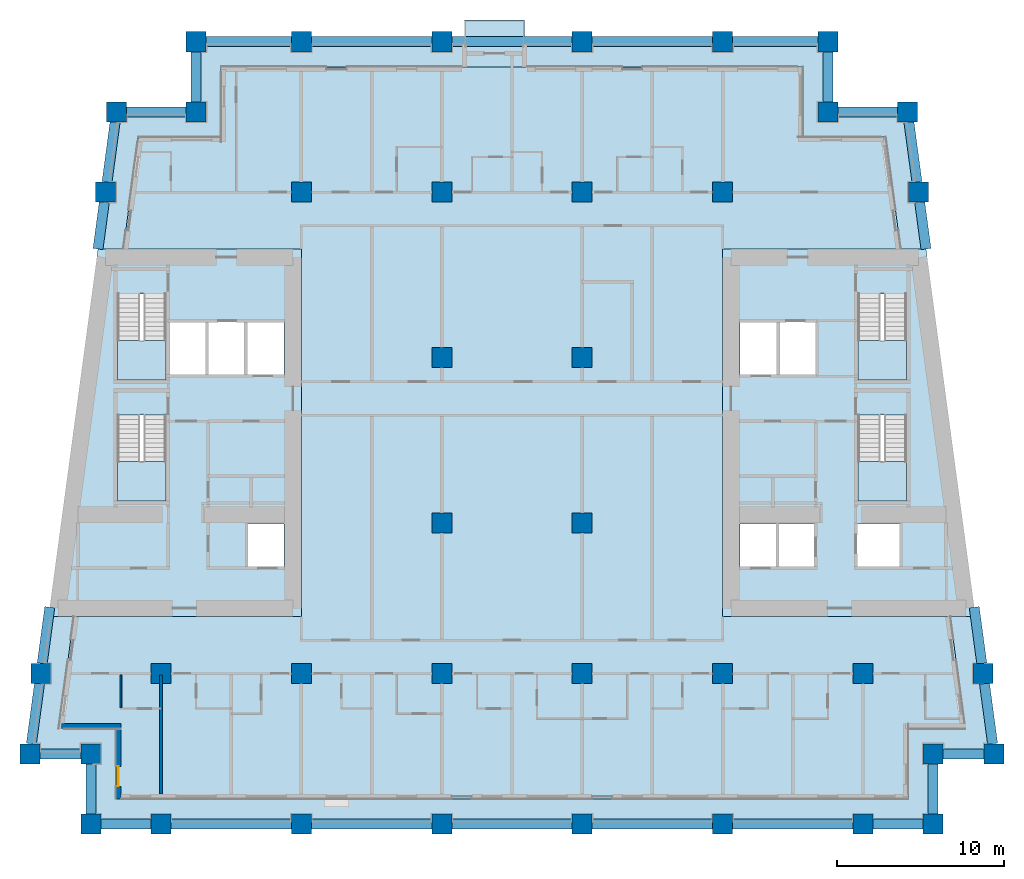
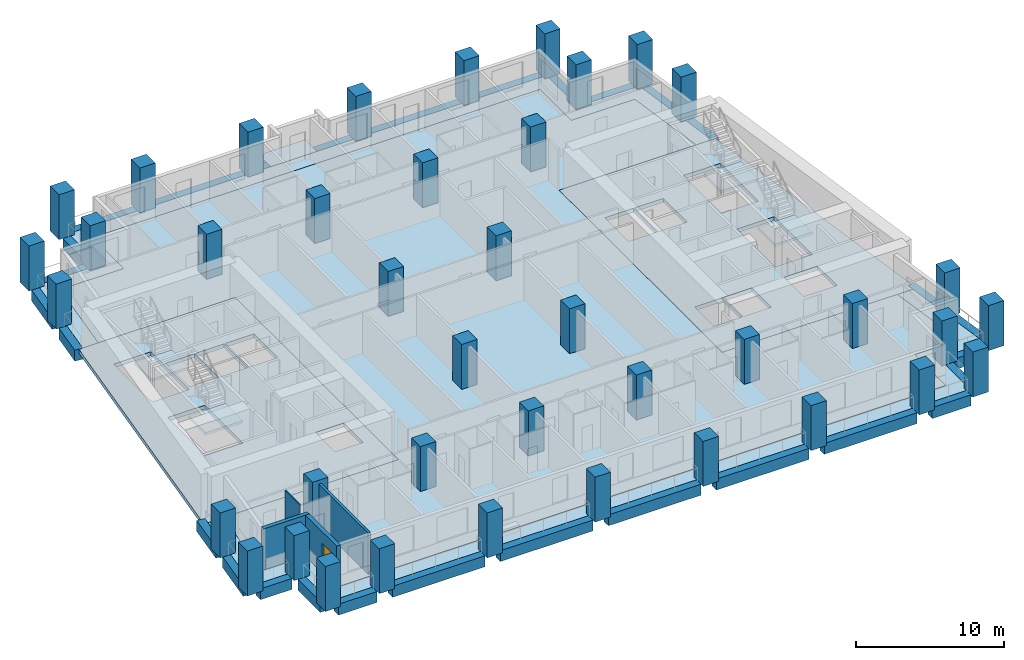
# One storey, part 1 of 14: 40 columns, 28 beams, 10 slabs, 4 walls, 1 door, 1 opening, 4 elements without a shape of their own.
"""IFC4 building model written with IfcOpenShell, lengths in metres."""

from ifc_helpers import new_model, si_unit, direction, frame, frame_2d, origin, origin_2d, place, context, subcontext, project, spatial, polyline, rectangle, outline, extrude, material, layer, layer_set, material_profile, profile_set, type_object, element, fill, aggregate, save


model = new_model("IFC4")

# Units and contexts
model_context = context("Model", 3, precision=1e-05, world=origin(), true_north=direction((0.0, 1.0)))
body_context = subcontext(model_context, "Body", "Model", "MODEL_VIEW")
ifc_project = project(units=[si_unit("LENGTHUNIT", "METRE"), si_unit("AREAUNIT", "SQUARE_METRE"), si_unit("VOLUMEUNIT", "CUBIC_METRE"), si_unit("PLANEANGLEUNIT", "RADIAN"), si_unit("MASSUNIT", "GRAM", prefix="KILO")], contexts=[model_context])

# Site, building, storey
site_placement = place(None, origin())
site = spatial("IfcSite", under=ifc_project, at=site_placement, CompositionType="ELEMENT")
building_placement = place(site_placement, origin())
building = spatial("IfcBuilding", under=site, at=building_placement, Name="Candeia Pilgrim Tower and Theatre", CompositionType="ELEMENT")
storey_placement = place(building_placement, frame((0.0, 0.0, 120.60009765625)))
storey = spatial("IfcBuildingStorey", under=building, at=storey_placement, Name="L28", CompositionType="ELEMENT", Elevation=120.60009765625)

# Columns
ifc_material_1 = material(Name="Concrete C70/85", Category="concrete")
ifc_material_profile_1 = material_profile(ifc_material_1, rectangle(XDim=1.199951171875, YDim=1.199951171875, at=origin_2d()))
ifc_profile_set_1 = profile_set([ifc_material_profile_1], Name="Concrete C70/85")
column_type = type_object("IfcColumnType", Name="RC 1200x1200 C70/85", PredefinedType="COLUMN", material=ifc_profile_set_1)
for number, where, z_axis, x_axis, name in (
    (1, (92.39990234375, 98.0, 0.0), (0.0, 0.0, 1.0), (1.0, 0.0, 0.0), "Column A1"),
    (2, (100.800048828125, 98.0, 0.0), (0.0, 0.0, 1.0), (1.0, 0.0, 0.0), "Column A2"),
    (3, (109.199951171875, 98.0, 0.0), (0.0, 0.0, 1.0), (1.0, 0.0, 0.0), "Column A3"),
    (4, (117.60009765625, 98.0, 0.0), (0.0, 0.0, 1.0), (1.0, 0.0, 0.0), "Column A4"),
    (5, (126.0, 98.0, 0.0), (0.0, 0.0, 1.0), (1.0, 0.0, 0.0), "Column A5"),
    (6, (134.39990234375, 98.0, 0.0), (0.0, 0.0, 1.0), (1.0, 0.0, 0.0), "Column A6"),
    (7, (88.199951171875, 98.0, 0.0), (0.0, 0.0, 1.0), (1.0, 0.0, 0.0), "Column AW"),
    (8, (138.60009765625, 98.0, 0.0), (0.0, 0.0, 1.0), (1.0, 0.0, 0.0), "Column AE"),
    (9, (88.199951171875, 102.199951171875, 0.0), (0.0, 0.0, 1.0), (1.0, 0.0, 0.0), "Column NSW"),
    (10, (138.60009765625, 102.199951171875, 0.0), (0.0, 0.0, 1.0), (1.0, 0.0, 0.0), "Column NSE"),
    (11, (94.5, 140.60009765625, 0.0), (0.0, 0.0, 1.0), (1.0, 0.0, 0.0), "Column NNW"),
    (12, (132.300048828125, 140.60009765625, 0.0), (0.0, 0.0, 1.0), (1.0, 0.0, 0.0), "Column NNE"),
    (13, (84.5654296875, 102.199951171875, 0.0), (0.0, 0.0, 1.0), (1.0, 0.0, 0.0), "Column LSW"),
    (14, (142.234619140625, 102.199951171875, 0.0), (0.0, 0.0, 1.0), (1.0, 0.0, 0.0), "Column LSE"),
    (15, (89.734619140625, 140.60009765625, 0.0), (0.0, 0.0, 1.0), (1.0, 0.0, 0.0), "Column LNW"),
    (16, (137.0654296875, 140.60009765625, 0.0), (0.0, 0.0, 1.0), (1.0, 0.0, 0.0), "Column LNE"),
    (17, (92.39990234375, 107.0, 0.0), (0.0, 0.0, 1.0), (1.0, 0.0, 0.0), "Column B1"),
    (18, (100.800048828125, 107.0, 0.0), (0.0, 0.0, 1.0), (1.0, 0.0, 0.0), "Column B2"),
    (19, (109.199951171875, 107.0, 0.0), (0.0, 0.0, 1.0), (1.0, 0.0, 0.0), "Column B3"),
    (20, (117.60009765625, 107.0, 0.0), (0.0, 0.0, 1.0), (1.0, 0.0, 0.0), "Column B4"),
    (21, (126.0, 107.0, 0.0), (0.0, 0.0, 1.0), (1.0, 0.0, 0.0), "Column B5"),
    (22, (134.39990234375, 107.0, 0.0), (0.0, 0.0, 1.0), (1.0, 0.0, 0.0), "Column B6"),
    (23, (85.21142578125, 107.0, 0.0), (0.0, 0.0, 1.0), (1.0, 0.0, 0.0), "Column BW"),
    (24, (141.58837890625, 107.0, 0.0), (0.0, 0.0, 1.0), (1.0, 0.0, 0.0), "Column BE"),
    (25, (109.199951171875, 116.0, 0.0), (0.0, 0.0, 1.0), (1.0, 0.0, 0.0), "Column C3"),
    (26, (117.60009765625, 116.0, 0.0), (0.0, 0.0, 1.0), (1.0, 0.0, 0.0), "Column C4"),
    (27, (109.199951171875, 125.89990234375, 0.0), (0.0, 0.0, 1.0), (1.0, 0.0, 0.0), "Column D3"),
    (28, (117.60009765625, 125.89990234375, 0.0), (0.0, 0.0, 1.0), (1.0, 0.0, 0.0), "Column D4"),
    (29, (100.800048828125, 135.800048828125, 0.0), (0.0, 0.0, 1.0), (1.0, 0.0, 0.0), "Column E2"),
    (30, (109.199951171875, 135.800048828125, 0.0), (0.0, 0.0, 1.0), (1.0, 0.0, 0.0), "Column E3"),
    (31, (117.60009765625, 135.800048828125, 0.0), (0.0, 0.0, 1.0), (1.0, 0.0, 0.0), "Column E4"),
    (32, (126.0, 135.800048828125, 0.0), (0.0, 0.0, 1.0), (1.0, 0.0, 0.0), "Column E5"),
    (33, (89.08837890625, 135.800048828125, 0.0), (0.0, 0.0, 1.0), (1.0, 0.0, 0.0), "Column EW"),
    (34, (137.71142578125, 135.800048828125, 0.0), (0.0, 0.0, 1.0), (1.0, 0.0, 0.0), "Column EE"),
    (35, (100.800048828125, 144.800048828125, 0.0), (0.0, 0.0, 1.0), (1.0, 0.0, 0.0), "Column F2"),
    (36, (109.199951171875, 144.800048828125, 0.0), (0.0, 0.0, 1.0), (1.0, 0.0, 0.0), "Column F3"),
    (37, (117.60009765625, 144.800048828125, 0.0), (0.0, 0.0, 1.0), (1.0, 0.0, 0.0), "Column F4"),
    (38, (126.0, 144.800048828125, 0.0), (0.0, 0.0, 1.0), (1.0, 0.0, 0.0), "Column F5"),
    (39, (94.5, 144.800048828125, 0.0), (0.0, 0.0, 1.0), (1.0, 0.0, 0.0), "Column FW"),
    (40, (132.300048828125, 144.800048828125, 0.0), (0.0, 0.0, 1.0), (1.0, 0.0, 0.0), "Column FE"),
):
    element("IfcColumn", number, at=place(storey_placement, frame(where, z_axis=z_axis, x_axis=x_axis)), inside=storey, type_object=column_type, Name=name, PredefinedType="COLUMN", context=body_context, shape_type="SweptSolid", body=[
        extrude(rectangle(XDim=1.199951171875, YDim=1.199951171875, at=origin_2d()), origin(), (0.0, 0.0, 1.0), 3.699951171875),
    ])

# Beams
ifc_material_profile_2 = material_profile(ifc_material_1, rectangle(XDim=0.60009765625, YDim=0.89990234375, at=origin_2d()))
ifc_profile_set_2 = profile_set([ifc_material_profile_2], Name="Concrete C70/85")
beam_type = type_object("IfcBeamType", Name="RC 600x900 C70/85", PredefinedType="BEAM", material=ifc_profile_set_2)
beam_1_placement = place(storey_placement, frame((88.800048828125, 98.0, -0.4501953125), z_axis=(1.0, 0.0, 0.0), x_axis=(0.0, 1.0, 0.0)))
element("IfcBeam", 41, at=beam_1_placement, inside=storey, type_object=beam_type, Name="Spandrel beam L28-01", PredefinedType="BEAM", context=body_context, shape_type="SweptSolid", body=[
    extrude(rectangle(XDim=0.60009765625, YDim=0.89990234375, at=origin_2d()), origin(), (0.0, 0.0, 1.0), 3.0),
])
beam_2_placement = place(storey_placement, frame((93.0, 98.0, -0.4501953125), z_axis=(1.0, 0.0, 0.0), x_axis=(0.0, 1.0, 0.0)))
element("IfcBeam", 42, at=beam_2_placement, inside=storey, type_object=beam_type, Name="Spandrel beam L28-02", PredefinedType="BEAM", context=body_context, shape_type="SweptSolid", body=[
    extrude(rectangle(XDim=0.60009765625, YDim=0.89990234375, at=origin_2d()), origin(), (0.0, 0.0, 1.0), 7.199951171875),
])
beam_3_placement = place(storey_placement, frame((101.39990234375, 98.0, -0.4501953125), z_axis=(1.0, 0.0, 0.0), x_axis=(0.0, 1.0, 0.0)))
element("IfcBeam", 43, at=beam_3_placement, inside=storey, type_object=beam_type, Name="Spandrel beam L28-03", PredefinedType="BEAM", context=body_context, shape_type="SweptSolid", body=[
    extrude(rectangle(XDim=0.60009765625, YDim=0.89990234375, at=origin_2d()), origin(), (0.0, 0.0, 1.0), 7.2001953125),
])
for number, where, z_axis, x_axis, name in (
    (44, (109.800048828125, 98.0, -0.4501953125), (1.0, 0.0, 0.0), (0.0, 1.0, 0.0), "Spandrel beam L28-04"),
    (45, (118.199951171875, 98.0, -0.4501953125), (1.0, 0.0, 0.0), (0.0, 1.0, 0.0), "Spandrel beam L28-05"),
    (46, (126.60009765625, 98.0, -0.4501953125), (1.0, 0.0, 0.0), (0.0, 1.0, 0.0), "Spandrel beam L28-06"),
):
    element("IfcBeam", number, at=place(storey_placement, frame(where, z_axis=z_axis, x_axis=x_axis)), inside=storey, type_object=beam_type, Name=name, PredefinedType="BEAM", context=body_context, shape_type="SweptSolid", body=[
        extrude(rectangle(XDim=0.60009765625, YDim=0.89990234375, at=origin_2d()), origin(), (0.0, 0.0, 1.0), 7.199951171875),
    ])
for number, where, z_axis, x_axis, name in (
    (47, (135.0, 98.0, -0.4501953125), (1.0, 0.0, 0.0), (0.0, 1.0, 0.0), "Spandrel beam L28-07"),
    (48, (138.60009765625, 98.60009765625, -0.4501953125), (0.0, 1.0, 0.0), (-1.0, 0.0, 0.0), "Spandrel beam L28-08"),
):
    element("IfcBeam", number, at=place(storey_placement, frame(where, z_axis=z_axis, x_axis=x_axis)), inside=storey, type_object=beam_type, Name=name, PredefinedType="BEAM", context=body_context, shape_type="SweptSolid", body=[
        extrude(rectangle(XDim=0.60009765625, YDim=0.89990234375, at=origin_2d()), origin(), (0.0, 0.0, 1.0), 3.0),
    ])
beam_4_placement = place(storey_placement, frame((139.199951171875, 102.199951171875, -0.4501953125), z_axis=(1.0, 0.0, 0.0), x_axis=(0.0, 1.0, 0.0)))
element("IfcBeam", 49, at=beam_4_placement, inside=storey, type_object=beam_type, Name="Spandrel beam L28-09", PredefinedType="BEAM", context=body_context, shape_type="SweptSolid", body=[
    extrude(rectangle(XDim=0.60009765625, YDim=0.89990234375, at=origin_2d()), origin(), (0.0, 0.0, 1.0), 2.4345703125),
])
beam_5_placement = place(storey_placement, frame((142.15380859375, 102.800048828125, -0.4501953125), z_axis=(-0.133418359924, 0.991059807093, 0.0), x_axis=(-0.991059807093, -0.133418359924, 0.0)))
element("IfcBeam", 50, at=beam_5_placement, inside=storey, type_object=beam_type, Name="Spandrel beam L28-10", PredefinedType="BEAM", context=body_context, shape_type="SweptSolid", body=[
    extrude(rectangle(XDim=0.60009765625, YDim=0.89990234375, at=origin_2d()), origin(), (0.0, 0.0, 1.0), 3.63232421875),
])
beam_6_placement = place(storey_placement, frame((141.5078125, 107.60009765625, -0.4501953125), z_axis=(-0.133458165992, 0.99105444751, 0.0), x_axis=(-0.99105444751, -0.133458165992, 0.0)))
element("IfcBeam", 51, at=beam_6_placement, inside=storey, type_object=beam_type, Name="Spandrel beam L28-11", PredefinedType="BEAM", context=body_context, shape_type="SweptSolid", body=[
    extrude(rectangle(XDim=0.60009765625, YDim=0.89990234375, at=origin_2d()), origin(), (0.0, 0.0, 1.0), 3.39697265625),
])
beam_7_placement = place(storey_placement, frame((138.169189453125, 132.39990234375, -0.4501953125), z_axis=(-0.133420173099, 0.991059562998, 0.0), x_axis=(-0.991059562998, -0.133420173099, 0.0)))
element("IfcBeam", 52, at=beam_7_placement, inside=storey, type_object=beam_type, Name="Spandrel beam L28-12", PredefinedType="BEAM", context=body_context, shape_type="SweptSolid", body=[
    extrude(rectangle(XDim=0.60009765625, YDim=0.89990234375, at=origin_2d()), origin(), (0.0, 0.0, 1.0), 2.8251953125),
])
beam_8_placement = place(storey_placement, frame((137.630859375, 136.39990234375, -0.4501953125), z_axis=(-0.133409473196, 0.991061003401, 0.0), x_axis=(-0.991061003401, -0.133409473196, 0.0)))
element("IfcBeam", 53, at=beam_8_placement, inside=storey, type_object=beam_type, Name="Spandrel beam L28-13", PredefinedType="BEAM", context=body_context, shape_type="SweptSolid", body=[
    extrude(rectangle(XDim=0.60009765625, YDim=0.89990234375, at=origin_2d()), origin(), (0.0, 0.0, 1.0), 3.632568359375),
])
beam_9_placement = place(storey_placement, frame((136.46533203125, 140.60009765625, -0.4501953125), z_axis=(-1.0, 0.0, 0.0), x_axis=(0.0, -1.0, 0.0)))
element("IfcBeam", 54, at=beam_9_placement, inside=storey, type_object=beam_type, Name="Spandrel beam L28-14", PredefinedType="BEAM", context=body_context, shape_type="SweptSolid", body=[
    extrude(rectangle(XDim=0.60009765625, YDim=0.89990234375, at=origin_2d()), origin(), (0.0, 0.0, 1.0), 3.5654296875),
])
beam_10_placement = place(storey_placement, frame((132.300048828125, 141.199951171875, -0.4501953125), z_axis=(0.0, 1.0, 0.0), x_axis=(-1.0, 0.0, 0.0)))
element("IfcBeam", 55, at=beam_10_placement, inside=storey, type_object=beam_type, Name="Spandrel beam L28-15", PredefinedType="BEAM", context=body_context, shape_type="SweptSolid", body=[
    extrude(rectangle(XDim=0.60009765625, YDim=0.89990234375, at=origin_2d()), origin(), (0.0, 0.0, 1.0), 3.0),
])
beam_11_placement = place(storey_placement, frame((131.699951171875, 144.800048828125, -0.4501953125), z_axis=(-1.0, 0.0, 0.0), x_axis=(0.0, -1.0, 0.0)))
element("IfcBeam", 56, at=beam_11_placement, inside=storey, type_object=beam_type, Name="Spandrel beam L28-16", PredefinedType="BEAM", context=body_context, shape_type="SweptSolid", body=[
    extrude(rectangle(XDim=0.60009765625, YDim=0.89990234375, at=origin_2d()), origin(), (0.0, 0.0, 1.0), 5.099853515625),
])
for number, where, z_axis, x_axis, name in (
    (57, (125.39990234375, 144.800048828125, -0.4501953125), (-1.0, 0.0, 0.0), (0.0, -1.0, 0.0), "Spandrel beam L28-17"),
    (58, (117.0, 144.800048828125, -0.4501953125), (-1.0, 0.0, 0.0), (0.0, -1.0, 0.0), "Spandrel beam L28-18"),
):
    element("IfcBeam", number, at=place(storey_placement, frame(where, z_axis=z_axis, x_axis=x_axis)), inside=storey, type_object=beam_type, Name=name, PredefinedType="BEAM", context=body_context, shape_type="SweptSolid", body=[
        extrude(rectangle(XDim=0.60009765625, YDim=0.89990234375, at=origin_2d()), origin(), (0.0, 0.0, 1.0), 7.199951171875),
    ])
beam_12_placement = place(storey_placement, frame((108.60009765625, 144.800048828125, -0.4501953125), z_axis=(-1.0, 0.0, 0.0), x_axis=(0.0, -1.0, 0.0)))
element("IfcBeam", 59, at=beam_12_placement, inside=storey, type_object=beam_type, Name="Spandrel beam L28-19", PredefinedType="BEAM", context=body_context, shape_type="SweptSolid", body=[
    extrude(rectangle(XDim=0.60009765625, YDim=0.89990234375, at=origin_2d()), origin(), (0.0, 0.0, 1.0), 7.2001953125),
])
beam_13_placement = place(storey_placement, frame((100.199951171875, 144.800048828125, -0.4501953125), z_axis=(-1.0, 0.0, 0.0), x_axis=(0.0, -1.0, 0.0)))
element("IfcBeam", 60, at=beam_13_placement, inside=storey, type_object=beam_type, Name="Spandrel beam L28-20", PredefinedType="BEAM", context=body_context, shape_type="SweptSolid", body=[
    extrude(rectangle(XDim=0.60009765625, YDim=0.89990234375, at=origin_2d()), origin(), (0.0, 0.0, 1.0), 5.099853515625),
])
beam_14_placement = place(storey_placement, frame((94.5, 144.199951171875, -0.4501953125), z_axis=(0.0, -1.0, 0.0), x_axis=(1.0, 0.0, 0.0)))
element("IfcBeam", 61, at=beam_14_placement, inside=storey, type_object=beam_type, Name="Spandrel beam L28-21", PredefinedType="BEAM", context=body_context, shape_type="SweptSolid", body=[
    extrude(rectangle(XDim=0.60009765625, YDim=0.89990234375, at=origin_2d()), origin(), (0.0, 0.0, 1.0), 3.0),
])
beam_15_placement = place(storey_placement, frame((93.89990234375, 140.60009765625, -0.4501953125), z_axis=(-1.0, 0.0, 0.0), x_axis=(0.0, -1.0, 0.0)))
element("IfcBeam", 62, at=beam_15_placement, inside=storey, type_object=beam_type, Name="Spandrel beam L28-22", PredefinedType="BEAM", context=body_context, shape_type="SweptSolid", body=[
    extrude(rectangle(XDim=0.60009765625, YDim=0.89990234375, at=origin_2d()), origin(), (0.0, 0.0, 1.0), 3.565185546875),
])
beam_16_placement = place(storey_placement, frame((89.65380859375, 140.0, -0.4501953125), z_axis=(-0.133409473196, -0.991061003401, 0.0), x_axis=(0.991061003401, -0.133409473196, 0.0)))
element("IfcBeam", 63, at=beam_16_placement, inside=storey, type_object=beam_type, Name="Spandrel beam L28-23", PredefinedType="BEAM", context=body_context, shape_type="SweptSolid", body=[
    extrude(rectangle(XDim=0.60009765625, YDim=0.89990234375, at=origin_2d()), origin(), (0.0, 0.0, 1.0), 3.632568359375),
])
beam_17_placement = place(storey_placement, frame((89.0078125, 135.199951171875, -0.4501953125), z_axis=(-0.133420173099, -0.991059562998, 0.0), x_axis=(0.991059562998, -0.133420173099, 0.0)))
element("IfcBeam", 64, at=beam_17_placement, inside=storey, type_object=beam_type, Name="Spandrel beam L28-24", PredefinedType="BEAM", context=body_context, shape_type="SweptSolid", body=[
    extrude(rectangle(XDim=0.60009765625, YDim=0.89990234375, at=origin_2d()), origin(), (0.0, 0.0, 1.0), 2.8251953125),
])
beam_18_placement = place(storey_placement, frame((85.74560546875, 110.966796875, -0.4501953125), z_axis=(-0.133458165992, -0.99105444751, 0.0), x_axis=(0.99105444751, -0.133458165992, 0.0)))
element("IfcBeam", 65, at=beam_18_placement, inside=storey, type_object=beam_type, Name="Spandrel beam L28-25", PredefinedType="BEAM", context=body_context, shape_type="SweptSolid", body=[
    extrude(rectangle(XDim=0.60009765625, YDim=0.89990234375, at=origin_2d()), origin(), (0.0, 0.0, 1.0), 3.39697265625),
])
beam_19_placement = place(storey_placement, frame((85.130859375, 106.39990234375, -0.4501953125), z_axis=(-0.133418359924, -0.991059807093, 0.0), x_axis=(0.991059807093, -0.133418359924, 0.0)))
element("IfcBeam", 66, at=beam_19_placement, inside=storey, type_object=beam_type, Name="Spandrel beam L28-26", PredefinedType="BEAM", context=body_context, shape_type="SweptSolid", body=[
    extrude(rectangle(XDim=0.60009765625, YDim=0.89990234375, at=origin_2d()), origin(), (0.0, 0.0, 1.0), 3.63232421875),
])
beam_20_placement = place(storey_placement, frame((85.165283203125, 102.199951171875, -0.4501953125), z_axis=(1.0, 0.0, 0.0), x_axis=(0.0, 1.0, 0.0)))
element("IfcBeam", 67, at=beam_20_placement, inside=storey, type_object=beam_type, Name="Spandrel beam L28-27", PredefinedType="BEAM", context=body_context, shape_type="SweptSolid", body=[
    extrude(rectangle(XDim=0.60009765625, YDim=0.89990234375, at=origin_2d()), origin(), (0.0, 0.0, 1.0), 2.434814453125),
])
beam_21_placement = place(storey_placement, frame((88.199951171875, 101.60009765625, -0.4501953125), z_axis=(0.0, -1.0, 0.0), x_axis=(1.0, 0.0, 0.0)))
element("IfcBeam", 68, at=beam_21_placement, inside=storey, type_object=beam_type, Name="Spandrel beam L28-28", PredefinedType="BEAM", context=body_context, shape_type="SweptSolid", body=[
    extrude(rectangle(XDim=0.60009765625, YDim=0.89990234375, at=origin_2d()), origin(), (0.0, 0.0, 1.0), 3.0),
])

# Slabs
ifc_material_2 = material(Name="Concrete C40/50", Category="concrete")
ifc_layer_1 = layer(ifc_material_2, 0.25)
ifc_layer_set_1 = layer_set([ifc_layer_1], Name="BK1 balcony slab 250")
slab_type_1 = type_object("IfcSlabType", Name="BK1 balcony slab 250", PredefinedType="USERDEFINED", material=ifc_layer_set_1)
slab_1_placement = place(storey_placement, frame((0.0, 0.0, -0.25)))
element("IfcSlab", 69, at=slab_1_placement, inside=storey, type_object=slab_type_1, Name="Balcony L28", ObjectType="BALCONY", PredefinedType="USERDEFINED", context=body_context, shape_type="SweptSolid", body=[
    extrude(outline(polyline([(110.550048828125, 144.5), (114.14990234375, 144.5), (114.14990234375, 146.10009765625), (110.550048828125, 146.10009765625), (110.550048828125, 144.5)])), origin(), (0.0, 0.0, 1.0), 0.25),
])
ifc_material_3 = material(Name="Concrete C60/75", Category="concrete")
ifc_layer_2 = layer(ifc_material_3, 0.320068359375)
ifc_layer_set_2 = layer_set([ifc_layer_2], Name="FS-CORE 320 core floor")
slab_type_2 = type_object("IfcSlabType", Name="FS-CORE 320 core floor", PredefinedType="FLOOR", material=ifc_layer_set_2)
slab_2_placement = place(storey_placement, frame((0.0, 0.0, -0.320068359375)))
element("IfcSlab", 70, at=slab_2_placement, inside=storey, type_object=slab_type_2, Name="Core floor W L28", PredefinedType="FLOOR", context=body_context, shape_type="SweptSolid", body=[
    extrude(outline(polyline([(100.800048828125, 132.39990234375), (100.800048828125, 110.39990234375), (85.669189453125, 110.39990234375), (88.630859375, 132.39990234375), (100.800048828125, 132.39990234375)]), holes=[polyline([(97.525634765625, 128.050048828125), (97.525634765625, 124.85009765625), (99.75, 124.85009765625), (99.75, 128.050048828125), (97.525634765625, 128.050048828125)]), polyline([(97.5634765625, 113.35009765625), (99.75, 113.35009765625), (99.75, 115.949951171875), (97.5634765625, 115.949951171875), (97.5634765625, 113.35009765625)]), polyline([(95.201416015625, 124.85009765625), (97.42578125, 124.85009765625), (97.42578125, 128.050048828125), (95.201416015625, 128.050048828125), (95.201416015625, 124.85009765625)]), polyline([(92.876953125, 128.050048828125), (92.876953125, 124.85009765625), (95.101318359375, 124.85009765625), (95.101318359375, 128.050048828125), (92.876953125, 128.050048828125)]), polyline([(89.802001953125, 122.455078125), (89.802001953125, 117.324951171875), (92.701904296875, 117.324951171875), (92.701904296875, 122.455078125), (89.802001953125, 122.455078125)]), polyline([(89.802001953125, 129.705078125), (89.802001953125, 124.574951171875), (92.701904296875, 124.574951171875), (92.701904296875, 129.705078125), (89.802001953125, 129.705078125)])]), origin(), (0.0, 0.0, 1.0), 0.320068359375),
])
slab_3_placement = place(storey_placement, frame((0.0, 0.0, -0.320068359375)))
element("IfcSlab", 71, at=slab_3_placement, inside=storey, type_object=slab_type_2, Name="Core floor E L28", PredefinedType="FLOOR", context=body_context, shape_type="SweptSolid", body=[
    extrude(outline(polyline([(138.169189453125, 132.39990234375), (141.130859375, 110.39990234375), (126.0, 110.39990234375), (126.0, 132.39990234375), (138.169189453125, 132.39990234375)]), holes=[polyline([(134.097900390625, 122.455078125), (134.097900390625, 117.324951171875), (136.998046875, 117.324951171875), (136.998046875, 122.455078125), (134.097900390625, 122.455078125)]), polyline([(134.097900390625, 129.705078125), (134.097900390625, 124.574951171875), (136.998046875, 124.574951171875), (136.998046875, 129.705078125), (134.097900390625, 129.705078125)]), polyline([(136.6220703125, 115.949951171875), (134.02294921875, 115.949951171875), (134.02294921875, 113.35009765625), (136.6220703125, 113.35009765625), (136.6220703125, 115.949951171875)]), polyline([(131.5986328125, 128.050048828125), (129.374267578125, 128.050048828125), (129.374267578125, 124.85009765625), (131.5986328125, 124.85009765625), (131.5986328125, 128.050048828125)]), polyline([(131.52294921875, 115.949951171875), (129.33642578125, 115.949951171875), (129.33642578125, 113.35009765625), (131.52294921875, 113.35009765625), (131.52294921875, 115.949951171875)]), polyline([(129.2744140625, 128.050048828125), (127.050048828125, 128.050048828125), (127.050048828125, 124.85009765625), (129.2744140625, 124.85009765625), (129.2744140625, 128.050048828125)]), polyline([(127.050048828125, 115.949951171875), (127.050048828125, 113.35009765625), (129.236572265625, 113.35009765625), (129.236572265625, 115.949951171875), (127.050048828125, 115.949951171875)])]), origin(), (0.0, 0.0, 1.0), 0.320068359375),
])
ifc_material_4 = material(Name="Concrete C50/60", Category="concrete")
ifc_layer_3 = layer(ifc_material_4, 0.320068359375)
ifc_layer_set_3 = layer_set([ifc_layer_3], Name="Floor slab 320 C50/60")
slab_type_3 = type_object("IfcSlabType", Name="Floor slab 320 C50/60", PredefinedType="FLOOR", material=ifc_layer_set_3)
slab_4_placement = place(storey_placement, frame((0.0, 0.0, -0.320068359375)))
element("IfcSlab", 72, at=slab_4_placement, inside=storey, type_object=slab_type_3, Name="Floor slab L28", PredefinedType="FLOOR", context=body_context, shape_type="SweptSolid", body=[
    extrude(outline(polyline([(96.0, 139.10009765625), (96.0, 143.300048828125), (130.800048828125, 143.300048828125), (130.800048828125, 139.10009765625), (135.753662109375, 139.10009765625), (136.65576171875, 132.39990234375), (126.0, 132.39990234375), (126.0, 110.39990234375), (139.6171875, 110.39990234375), (140.51904296875, 103.699951171875), (137.10009765625, 103.699951171875), (137.10009765625, 99.5), (89.699951171875, 99.5), (89.699951171875, 103.699951171875), (86.28076171875, 103.699951171875), (87.182861328125, 110.39990234375), (100.800048828125, 110.39990234375), (100.800048828125, 132.39990234375), (90.144287109375, 132.39990234375), (91.046142578125, 139.10009765625), (96.0, 139.10009765625)])), origin(), (0.0, 0.0, 1.0), 0.320068359375),
])
ifc_layer_4 = layer(ifc_material_2, 0.25)
ifc_layer_set_4 = layer_set([ifc_layer_4], Name="Loggia slab 250 C40/50")
slab_type_4 = type_object("IfcSlabType", Name="Loggia slab 250 C40/50", PredefinedType="FLOOR", material=ifc_layer_set_4)
slab_5_placement = place(storey_placement, frame((0.0, 0.0, -0.25)))
element("IfcSlab", 73, at=slab_5_placement, inside=storey, type_object=slab_type_4, Name="Loggia slab L28 1", PredefinedType="FLOOR", context=body_context, shape_type="SweptSolid", body=[
    extrude(outline(polyline([(87.182861328125, 110.39990234375), (86.28076171875, 103.699951171875), (89.699951171875, 103.699951171875), (89.699951171875, 99.5), (137.10009765625, 99.5), (137.10009765625, 103.699951171875), (140.51904296875, 103.699951171875), (139.6171875, 110.39990234375), (140.828125, 110.39990234375), (141.8916015625, 102.5), (138.300048828125, 102.5), (138.300048828125, 98.300048828125), (88.5, 98.300048828125), (88.5, 102.5), (84.908447265625, 102.5), (85.971923828125, 110.39990234375), (87.182861328125, 110.39990234375)])), origin(), (0.0, 0.0, 1.0), 0.25),
])
slab_6_placement = place(storey_placement, frame((0.0, 0.0, -0.25)))
element("IfcSlab", 74, at=slab_6_placement, inside=storey, type_object=slab_type_4, Name="Loggia slab L28 2", PredefinedType="FLOOR", context=body_context, shape_type="SweptSolid", body=[
    extrude(outline(polyline([(136.65576171875, 132.39990234375), (135.753662109375, 139.10009765625), (130.800048828125, 139.10009765625), (130.800048828125, 143.300048828125), (96.0, 143.300048828125), (96.0, 139.10009765625), (91.046142578125, 139.10009765625), (90.144287109375, 132.39990234375), (88.93359375, 132.39990234375), (89.996826171875, 140.300048828125), (94.800048828125, 140.300048828125), (94.800048828125, 144.5), (132.0, 144.5), (132.0, 140.300048828125), (136.802978515625, 140.300048828125), (137.866455078125, 132.39990234375), (136.65576171875, 132.39990234375)])), origin(), (0.0, 0.0, 1.0), 0.25),
])

# Stair, slab
stair_type = type_object("IfcStairType", Name="ST-TWR dog-leg escape stair", PredefinedType="HALF_TURN_STAIR", material=ifc_material_2)
stair_1_placement = place(storey_placement, origin())
stair_1 = element("IfcStair", 75, at=stair_1_placement, inside=storey, type_object=stair_type, Name="L28 Escape stair ST1", PredefinedType="HALF_TURN_STAIR")
ifc_layer_5 = layer(ifc_material_2, 0.199951171875)
ifc_layer_set_5 = layer_set([ifc_layer_5], Name="SL-LANDING stair landing")
slab_type_5 = type_object("IfcSlabType", Name="SL-LANDING stair landing", PredefinedType="LANDING", material=ifc_layer_set_5)
slab_7_placement = place(storey_placement, frame((0.0, 0.0, 1.64990234375)))
slab_7 = element("IfcSlab", 76, at=slab_7_placement, type_object=slab_type_5, Name="ST1 landing 1", PredefinedType="LANDING", context=body_context, shape_type="SweptSolid", body=[
    extrude(outline(polyline([(89.802001953125, 119.675048828125), (89.802001953125, 117.324951171875), (92.701904296875, 117.324951171875), (92.701904296875, 119.675048828125), (89.802001953125, 119.675048828125)])), origin(), (0.0, 0.0, 1.0), 0.199951171875),
])
aggregate(stair_1, [slab_7])

stair_2_placement = place(storey_placement, origin())
stair_2 = element("IfcStair", 77, at=stair_2_placement, inside=storey, type_object=stair_type, Name="L28 Escape stair ST2", PredefinedType="HALF_TURN_STAIR")
slab_8_placement = place(storey_placement, frame((0.0, 0.0, 1.64990234375)))
slab_8 = element("IfcSlab", 78, at=slab_8_placement, type_object=slab_type_5, Name="ST2 landing 1", PredefinedType="LANDING", context=body_context, shape_type="SweptSolid", body=[
    extrude(outline(polyline([(89.802001953125, 126.925048828125), (89.802001953125, 124.574951171875), (92.701904296875, 124.574951171875), (92.701904296875, 126.925048828125), (89.802001953125, 126.925048828125)])), origin(), (0.0, 0.0, 1.0), 0.199951171875),
])
aggregate(stair_2, [slab_8])

stair_3_placement = place(storey_placement, origin())
stair_3 = element("IfcStair", 79, at=stair_3_placement, inside=storey, type_object=stair_type, Name="L28 Escape stair ST3", PredefinedType="HALF_TURN_STAIR")
slab_9_placement = place(storey_placement, frame((0.0, 0.0, 1.64990234375)))
slab_9 = element("IfcSlab", 80, at=slab_9_placement, type_object=slab_type_5, Name="ST3 landing 1", PredefinedType="LANDING", context=body_context, shape_type="SweptSolid", body=[
    extrude(outline(polyline([(134.097900390625, 119.675048828125), (134.097900390625, 117.324951171875), (136.998046875, 117.324951171875), (136.998046875, 119.675048828125), (134.097900390625, 119.675048828125)])), origin(), (0.0, 0.0, 1.0), 0.199951171875),
])
aggregate(stair_3, [slab_9])

stair_4_placement = place(storey_placement, origin())
stair_4 = element("IfcStair", 81, at=stair_4_placement, inside=storey, type_object=stair_type, Name="L28 Escape stair ST4", PredefinedType="HALF_TURN_STAIR")
slab_10_placement = place(storey_placement, frame((0.0, 0.0, 1.64990234375)))
slab_10 = element("IfcSlab", 82, at=slab_10_placement, type_object=slab_type_5, Name="ST4 landing 1", PredefinedType="LANDING", context=body_context, shape_type="SweptSolid", body=[
    extrude(outline(polyline([(134.097900390625, 126.925048828125), (134.097900390625, 124.574951171875), (136.998046875, 124.574951171875), (136.998046875, 126.925048828125), (134.097900390625, 126.925048828125)])), origin(), (0.0, 0.0, 1.0), 0.199951171875),
])
aggregate(stair_4, [slab_10])

# Wall
ifc_material_5 = material(Name="Ceramic block masonry", Category="masonry")
ifc_layer_6 = layer(ifc_material_5, 0.300048828125)
ifc_layer_set_6 = layer_set([ifc_layer_6], Name="EW1 glazing-line wall 300")
wall_type_1 = type_object("IfcWallType", Name="EW1 glazing-line wall 300", PredefinedType="SOLIDWALL", material=ifc_layer_set_6)
wall_1_placement = place(storey_placement, frame((86.452392578125, 103.85009765625, 0.0), z_axis=(0.0, 0.0, 1.0), x_axis=(1.0, 0.0, 0.0)))
element("IfcWall", 83, at=wall_1_placement, inside=storey, type_object=wall_type_1, Name="External wall L28-10.0", PredefinedType="SOLIDWALL", context=body_context, shape_type="SweptSolid", body=[
    extrude(rectangle(XDim=3.547607421875, YDim=0.300048828125, at=frame_2d((1.77392578125, 0.0))), origin(), (0.0, 0.0, 1.0), 3.3798828125),
])

# Wall, opening, door
wall_2_placement = place(storey_placement, frame((89.85009765625, 103.85009765625, 0.0), z_axis=(0.0, 0.0, 1.0), x_axis=(0.0, -1.0, 0.0)))
wall_2 = element("IfcWall", 84, at=wall_2_placement, inside=storey, type_object=wall_type_1, Name="External wall L28-11.0", PredefinedType="SOLIDWALL", context=body_context, shape_type="SweptSolid", body=[
    extrude(rectangle(XDim=4.35009765625, YDim=0.300048828125, at=frame_2d((2.175048828125, 0.0))), origin(), (0.0, 0.0, 1.0), 3.3798828125),
])
opening_placement = place(wall_2_placement, frame((2.39990234375, 0.0, 0.0)))
opening = element("IfcOpeningElement", 85, at=opening_placement, cuts=wall_2, Name="Opening L28-ED290", PredefinedType="OPENING", context=body_context, shape_type="SweptSolid", body=[
    extrude(rectangle(XDim=1.199951171875, YDim=2.39990234375, at=frame_2d((0.60009765625, 1.199951171875))), frame((0.0, 0.16015625, 0.0), z_axis=(0.0, -1.0, 0.0), x_axis=(1.0, 0.0, 0.0)), (0.0, 0.0, 1.0), 0.320068359375),
])
ifc_material_6 = material(Name="Aluminium framed glazed door", Category="aluminium")
door_type = type_object("IfcDoorType", Name="Loggia door 1200x2400", OperationType="DOUBLE_DOOR_SINGLE_SWING", PredefinedType="DOOR", material=ifc_material_6)
door_placement = place(opening_placement, origin())
door = element("IfcDoor", 86, at=door_placement, inside=storey, type_object=door_type, Name="Loggia door L28-ED290", OperationType="DOUBLE_DOOR_SINGLE_SWING", OverallHeight=2.39990234375, OverallWidth=1.199951171875, PredefinedType="DOOR", context=body_context, shape_type="SweptSolid", body=[
    extrude(rectangle(XDim=1.199951171875, YDim=2.39990234375, at=frame_2d((0.60009765625, 1.199951171875))), frame((0.0, 0.02490234375, 0.0), z_axis=(0.0, -1.0, 0.0), x_axis=(1.0, 0.0, 0.0)), (0.0, 0.0, 1.0), 0.050048828125),
])
fill(opening, door)

# Walls
ifc_material_7 = material(Name="Gypsum board partition on steel studs", Category="steel")
ifc_layer_7 = layer(ifc_material_7, 0.10009765625)
ifc_layer_set_7 = layer_set([ifc_layer_7], Name="PW-100 room partition")
wall_type_2 = type_object("IfcWallType", Name="PW-100 room partition", PredefinedType="PARTITIONING", material=ifc_layer_set_7)
wall_3_placement = place(storey_placement, frame((90.0, 104.949951171875, 0.0), z_axis=(0.0, 0.0, 1.0), x_axis=(0.0, 1.0, 0.0)))
element("IfcWall", 87, at=wall_3_placement, inside=storey, type_object=wall_type_2, Name="Room partition L28-057", PredefinedType="PARTITIONING", context=body_context, shape_type="SweptSolid", body=[
    extrude(rectangle(XDim=1.97509765625, YDim=0.10009765625, at=frame_2d((0.987548828125, 0.0))), origin(), (0.0, 0.0, 1.0), 3.3798828125),
])
ifc_layer_8 = layer(ifc_material_7, 0.199951171875)
ifc_layer_set_8 = layer_set([ifc_layer_8], Name="PW-200 party wall")
wall_type_3 = type_object("IfcWallType", Name="PW-200 party wall", PredefinedType="PARTITIONING", material=ifc_layer_set_8)
wall_4_placement = place(storey_placement, frame((92.39990234375, 99.7900390625, 0.0), z_axis=(0.0, 0.0, 1.0), x_axis=(0.0, 1.0, 0.0)))
element("IfcWall", 88, at=wall_4_placement, inside=storey, type_object=wall_type_3, Name="Party wall L28-058", PredefinedType="PARTITIONING", context=body_context, shape_type="SweptSolid", body=[
    extrude(rectangle(XDim=7.135009765625, YDim=0.199951171875, at=frame_2d((3.5673828125, 0.0))), origin(), (0.0, 0.0, 1.0), 3.3798828125),
])

save(model, "model.ifc")
